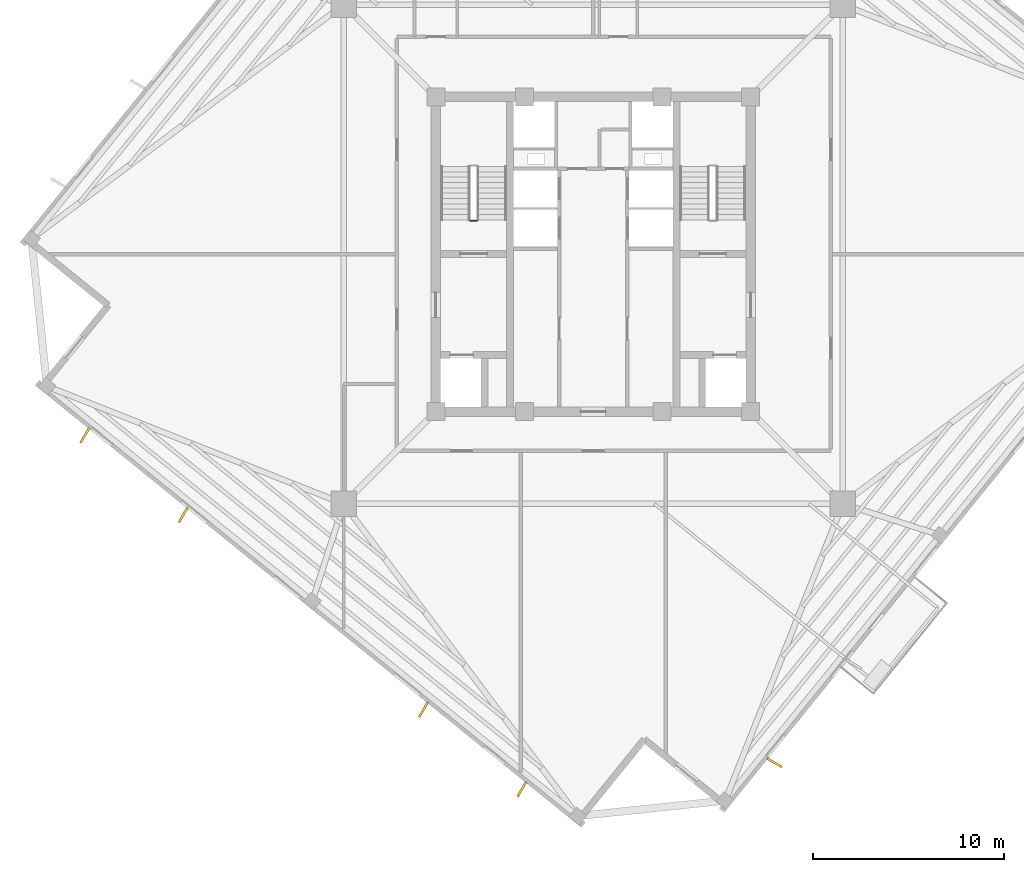
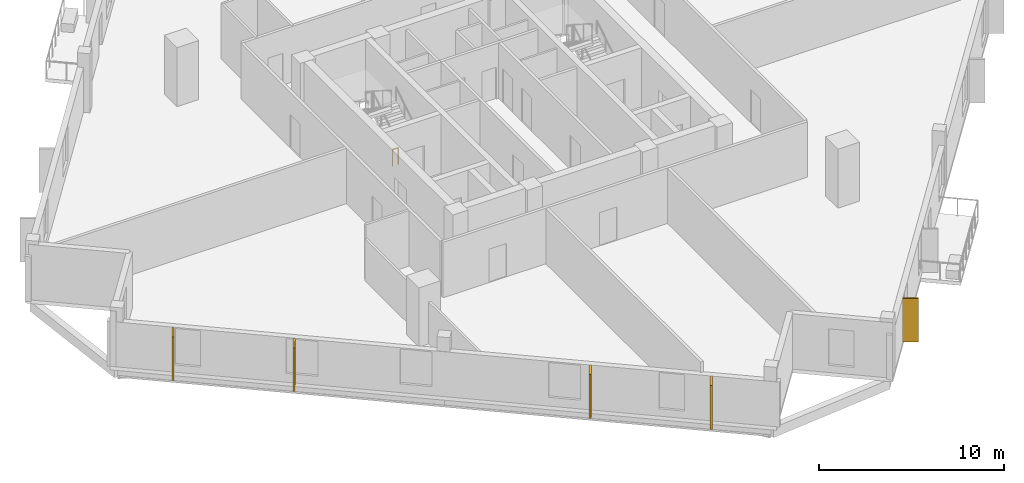
# One storey, part 6 of 9: 5 coverings, 1 railing.
"""IFC4 building model written with IfcOpenShell, lengths in metres."""

from ifc_helpers import new_model, si_unit, direction, frame, origin, origin_2d, place, context, subcontext, project, spatial, rectangle, circle, extrude, source, transform, mapped, material, layer, layer_set, type_object, element, save


model = new_model("IFC4")

# Units and contexts
model_context = context("Model", 3, precision=1e-05, world=origin(), true_north=direction((0.0, 1.0)))
body_context = subcontext(model_context, "Body", "Model", "MODEL_VIEW")
ifc_project = project(units=[si_unit("LENGTHUNIT", "METRE"), si_unit("AREAUNIT", "SQUARE_METRE"), si_unit("VOLUMEUNIT", "CUBIC_METRE"), si_unit("PLANEANGLEUNIT", "RADIAN"), si_unit("MASSUNIT", "GRAM", prefix="KILO"), si_unit("THERMODYNAMICTEMPERATUREUNIT", "KELVIN")], contexts=[model_context])

# Site, building, storey
site_placement = place(None, origin())
site = spatial("IfcSite", under=ifc_project, at=site_placement, CompositionType="ELEMENT")
building_placement = place(site_placement, origin())
building = spatial("IfcBuilding", under=site, at=building_placement, Name="Kosmvard Interchange Tower", CompositionType="ELEMENT")
storey_placement = place(building_placement, frame((0.0, 0.0, 248.5)))
storey = spatial("IfcBuildingStorey", under=building, at=storey_placement, Name="L60", CompositionType="ELEMENT", Elevation=248.5)

# Coverings
ifc_material_1 = material(Name="Architectural anodised aluminium", Category="aluminium")
ifc_layer = layer(ifc_material_1, 0.1201171875, Name="Architectural anodised aluminium")
ifc_layer_set = layer_set([ifc_layer], Name="Architectural anodised aluminium")
covering_type = type_object("IfcCoveringType", Name="Rotating Vertical Sun-Breaker Fin 900x120 Aluminium", PredefinedType="CLADDING", material=ifc_layer_set)
shared_shape_1 = source(origin(), body_context, "Body", "SweptSolid", [
    extrude(rectangle(XDim=0.89990234375, YDim=0.1201171875, at=origin_2d()), origin(), (0.0, 0.0, 1.0), 2.8798828125),
])
for number, where, z_axis, x_axis, name in (
    (1, (9.494384765625, -26.650146484375, 0.0400390625), (0.0, 0.0, 1.0), (0.864186995248, -0.503170783377, 0.0), "L60 Rotating Vertical Sun-Breaker Fin 01"),
    (2, (-26.650146484375, -9.494384765625, 0.0400390625), (0.0, 0.0, 1.0), (-0.503170783377, -0.864186995248, 0.0), "L60 Rotating Vertical Sun-Breaker Fin 13"),
    (3, (-21.49658203125, -13.66748046875, 0.0400390625), (0.0, 0.0, 1.0), (-0.503170783377, -0.864186995248, 0.0), "L60 Rotating Vertical Sun-Breaker Fin 14"),
    (4, (-8.8994140625, -23.86865234375, 0.0400390625), (0.0, 0.0, 1.0), (-0.503170783377, -0.864186995248, 0.0), "L60 Rotating Vertical Sun-Breaker Fin 15"),
    (5, (-3.74609375, -28.041748046875, 0.0400390625), (0.0, 0.0, 1.0), (-0.503170783377, -0.864186995248, 0.0), "L60 Rotating Vertical Sun-Breaker Fin 16"),
):
    element("IfcCovering", number, at=place(storey_placement, frame(where, z_axis=z_axis, x_axis=x_axis)), inside=storey, type_object=covering_type, Name=name, PredefinedType="CLADDING", context=body_context, shape_type="MappedRepresentation", body=[
        mapped(shared_shape_1, transform((0.0, 0.0, 0.0), scale=1.0)),
    ])

# Railing
ifc_material_2 = material(Name="Steel S355", Category="steel")
railing_type = type_object("IfcRailingType", Name="Stair & Terrace Safety Guardrail 1100 Steel", PredefinedType="GUARDRAIL", material=ifc_material_2)
shared_shape_2 = source(origin(), body_context, "Body", "SweptSolid", [
    extrude(circle(Radius=0.02392578125, at=origin_2d()), frame((0.0, 0.0, 1.076171875), z_axis=(-1.0, 0.0, 0.0), x_axis=(0.0, -1.0, 0.0)), (0.0, 0.0, 1.0), 0.35986328125),
    extrude(circle(Radius=0.02099609375, at=origin_2d()), origin(), (0.0, 0.0, 1.0), 1.052001953125),
    extrude(circle(Radius=0.02099609375, at=origin_2d()), frame((-0.35986328125, 0.0, 0.0)), (0.0, 0.0, 1.0), 1.052001953125),
])
railing_placement = place(storey_placement, frame((-6.090087890625, 1.75, 0.0)))
element("IfcRailing", 6, at=railing_placement, inside=storey, type_object=railing_type, Name="L60 ST-1 stair guard 4", PredefinedType="GUARDRAIL", context=body_context, shape_type="MappedRepresentation", body=[
    mapped(shared_shape_2, transform((0.0, 0.0, 0.0), scale=1.0)),
])

save(model, "model.ifc")
